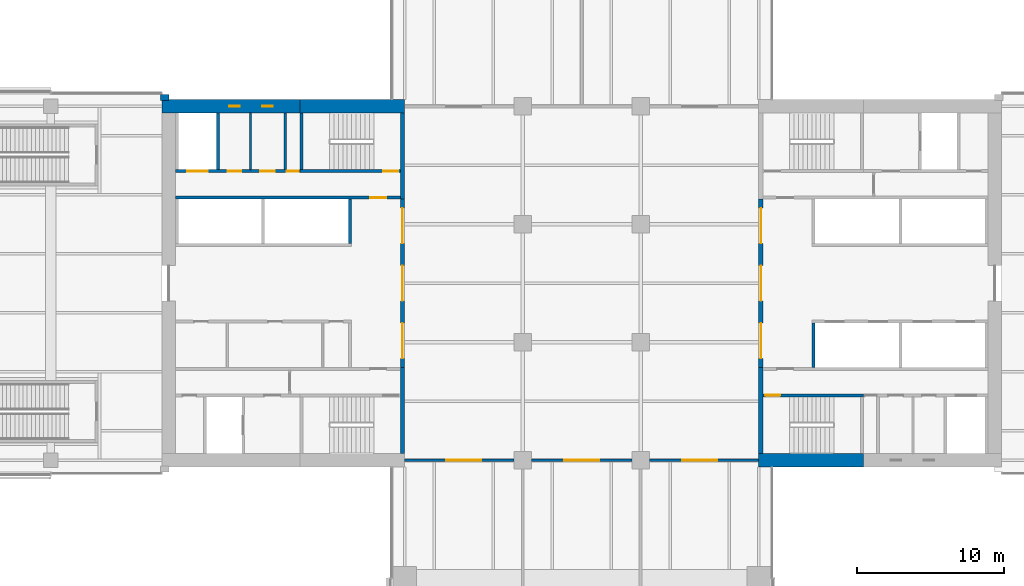
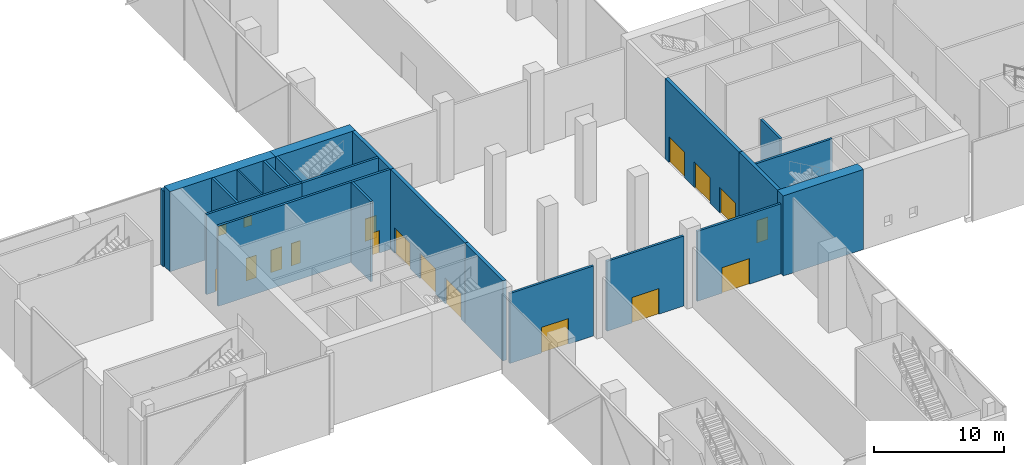
# One storey, part 15 of 25: 22 walls, 16 doors, 2 windows, 18 openings.
"""IFC4 building model written with IfcOpenShell, lengths in metres."""

from ifc_helpers import new_model, si_unit, direction, frame, frame_2d, origin, place, context, subcontext, project, spatial, rectangle, extrude, material, layer, layer_set, constituent, constituent_set, type_object, element, fill, save


model = new_model("IFC4")

# Units and contexts
model_context = context("Model", 3, precision=1e-05, world=origin(), true_north=direction((0.0, 1.0)))
body_context = subcontext(model_context, "Body", "Model", "MODEL_VIEW")
ifc_project = project(units=[si_unit("LENGTHUNIT", "METRE"), si_unit("AREAUNIT", "SQUARE_METRE"), si_unit("VOLUMEUNIT", "CUBIC_METRE"), si_unit("PLANEANGLEUNIT", "RADIAN"), si_unit("MASSUNIT", "GRAM", prefix="KILO")], contexts=[model_context])

# Site, building, storey
site_placement = place(None, origin())
site = spatial("IfcSite", under=ifc_project, at=site_placement, CompositionType="ELEMENT")
building_placement = place(site_placement, origin())
building = spatial("IfcBuilding", under=site, at=building_placement, Name="Crosswind Convention Tower", CompositionType="ELEMENT")
storey_placement = place(building_placement, frame((0.0, 0.0, 17.5)))
storey = spatial("IfcBuildingStorey", under=building, at=storey_placement, Name="L02", CompositionType="ELEMENT", Elevation=17.5)

# Wall
ifc_material_1 = material(Name="Concrete blockwork", Category="masonry")
ifc_layer_1 = layer(ifc_material_1, 0.199951171875)
ifc_layer_set_1 = layer_set([ifc_layer_1], Name="Blockwork partition wall 200")
wall_type_1 = type_object("IfcWallType", Name="Blockwork partition wall 200", PredefinedType="PARTITIONING", material=ifc_layer_set_1)
wall_1_placement = place(storey_placement, frame((104.89990234375, 111.550048828125, 0.0), z_axis=(0.0, 0.0, 1.0), x_axis=(0.0, -1.0, 0.0)))
element("IfcWall", 1, at=wall_1_placement, inside=storey, type_object=wall_type_1, Name="Wall MRSE W L02", PredefinedType="PARTITIONING", context=body_context, shape_type="SweptSolid", body=[
    extrude(rectangle(XDim=3.85009765625, YDim=0.199951171875, at=frame_2d((1.925048828125, 0.0))), origin(), (0.0, 0.0, 1.0), 7.5),
])

# Wall, openings, doors
ifc_material_2 = material(Name="Concrete C50/60", Category="concrete")
ifc_layer_2 = layer(ifc_material_2, 0.300048828125)
ifc_layer_set_2 = layer_set([ifc_layer_2], Name="Concrete C50/60")
wall_type_2 = type_object("IfcWallType", Name="Concrete inner core wall 300", PredefinedType="SHEAR", material=ifc_layer_set_2)
wall_2_placement = place(storey_placement, frame((137.14990234375, 94.300048828125, 0.0), z_axis=(0.0, 0.0, 1.0), x_axis=(0.0, 1.0, 0.0)))
wall_2 = element("IfcWall", 2, at=wall_2_placement, inside=storey, type_object=wall_type_2, Name="Wall SCR E L02", PredefinedType="SHEAR", context=body_context, shape_type="SweptSolid", body=[
    extrude(rectangle(XDim=11.39990234375, YDim=0.300048828125, at=frame_2d((5.699951171875, 0.0))), origin(), (0.0, 0.0, 1.0), 7.5),
])
opening_1_placement = place(wall_2_placement, frame((0.60009765625, 0.0, 0.0)))
opening_1 = element("IfcOpeningElement", 3, at=opening_1_placement, cuts=wall_2, Name="Opening D100", PredefinedType="OPENING", context=body_context, shape_type="SweptSolid", body=[
    extrude(rectangle(XDim=2.39990234375, YDim=2.39990234375, at=frame_2d((1.199951171875, 1.199951171875))), frame((0.0, 0.159912109375, 0.0), z_axis=(0.0, -1.0, 0.0), x_axis=(1.0, 0.0, 0.0)), (0.0, 0.0, 1.0), 0.320068359375),
])
opening_2_placement = place(wall_2_placement, frame((4.5, 0.0, 0.0)))
opening_2 = element("IfcOpeningElement", 4, at=opening_2_placement, cuts=wall_2, Name="Opening D100", PredefinedType="OPENING", context=body_context, shape_type="SweptSolid", body=[
    extrude(rectangle(XDim=2.39990234375, YDim=2.39990234375, at=frame_2d((1.199951171875, 1.199951171875))), frame((0.0, 0.159912109375, 0.0), z_axis=(0.0, -1.0, 0.0), x_axis=(1.0, 0.0, 0.0)), (0.0, 0.0, 1.0), 0.320068359375),
])
opening_3_placement = place(wall_2_placement, frame((8.39990234375, 0.0, 0.0)))
opening_3 = element("IfcOpeningElement", 5, at=opening_3_placement, cuts=wall_2, Name="Opening D100", PredefinedType="OPENING", context=body_context, shape_type="SweptSolid", body=[
    extrude(rectangle(XDim=2.39990234375, YDim=2.39990234375, at=frame_2d((1.199951171875, 1.199951171875))), frame((0.0, 0.159912109375, 0.0), z_axis=(0.0, -1.0, 0.0), x_axis=(1.0, 0.0, 0.0)), (0.0, 0.0, 1.0), 0.320068359375),
])
ifc_material_3 = material(Name="Steel fire door with glazed vision panels", Category="steel")
door_type_1 = type_object("IfcDoorType", Name="Fire-rated double door 2400x2400", OperationType="DOUBLE_DOOR_SINGLE_SWING", PredefinedType="DOOR", material=ifc_material_3)
door_1_placement = place(opening_1_placement, frame((2.39990234375, 0.0, 0.0), z_axis=(0.0, 0.0, 1.0), x_axis=(-1.0, 0.0, 0.0)))
door_1 = element("IfcDoor", 6, at=door_1_placement, inside=storey, type_object=door_type_1, Name="Lobby door 1 L02", ObjectType="D100", OperationType="DOUBLE_DOOR_SINGLE_SWING", OverallHeight=2.39990234375, OverallWidth=2.39990234375, PredefinedType="DOOR", context=body_context, shape_type="SweptSolid", body=[
    extrude(rectangle(XDim=2.39990234375, YDim=2.39990234375, at=frame_2d((1.199951171875, 1.199951171875))), frame((0.0, 0.02490234375, 0.0), z_axis=(0.0, -1.0, 0.0), x_axis=(1.0, 0.0, 0.0)), (0.0, 0.0, 1.0), 0.050048828125),
])
fill(opening_1, door_1)
door_2_placement = place(opening_2_placement, frame((2.39990234375, 0.0, 0.0), z_axis=(0.0, 0.0, 1.0), x_axis=(-1.0, 0.0, 0.0)))
door_2 = element("IfcDoor", 7, at=door_2_placement, inside=storey, type_object=door_type_1, Name="Lobby door 2 L02", ObjectType="D100", OperationType="DOUBLE_DOOR_SINGLE_SWING", OverallHeight=2.39990234375, OverallWidth=2.39990234375, PredefinedType="DOOR", context=body_context, shape_type="SweptSolid", body=[
    extrude(rectangle(XDim=2.39990234375, YDim=2.39990234375, at=frame_2d((1.199951171875, 1.199951171875))), frame((0.0, 0.02490234375, 0.0), z_axis=(0.0, -1.0, 0.0), x_axis=(1.0, 0.0, 0.0)), (0.0, 0.0, 1.0), 0.050048828125),
])
fill(opening_2, door_2)
door_3_placement = place(opening_3_placement, origin())
door_3 = element("IfcDoor", 8, at=door_3_placement, inside=storey, type_object=door_type_1, Name="Lobby door 3 L02", ObjectType="D100", OperationType="DOUBLE_DOOR_SINGLE_SWING", OverallHeight=2.39990234375, OverallWidth=2.39990234375, PredefinedType="DOOR", context=body_context, shape_type="SweptSolid", body=[
    extrude(rectangle(XDim=2.39990234375, YDim=2.39990234375, at=frame_2d((1.199951171875, 1.199951171875))), frame((0.0, 0.02490234375, 0.0), z_axis=(0.0, -1.0, 0.0), x_axis=(1.0, 0.0, 0.0)), (0.0, 0.0, 1.0), 0.050048828125),
])
fill(opening_3, door_3)

# Wall
wall_3_placement = place(storey_placement, frame((137.14990234375, 88.449951171875, 0.0), z_axis=(0.0, 0.0, 1.0), x_axis=(0.0, 1.0, 0.0)))
element("IfcWall", 9, at=wall_3_placement, inside=storey, type_object=wall_type_2, Name="Wall EM E L02", PredefinedType="SHEAR", context=body_context, shape_type="SweptSolid", body=[
    extrude(rectangle(XDim=5.85009765625, YDim=0.300048828125, at=frame_2d((2.925048828125, 0.0))), origin(), (0.0, 0.0, 1.0), 7.5),
])

# Wall, openings, doors
wall_4_placement = place(storey_placement, frame((112.85009765625, 105.699951171875, 0.0), z_axis=(0.0, 0.0, 1.0), x_axis=(0.0, -1.0, 0.0)))
wall_4 = element("IfcWall", 10, at=wall_4_placement, inside=storey, type_object=wall_type_2, Name="Wall SCR W L02", PredefinedType="SHEAR", context=body_context, shape_type="SweptSolid", body=[
    extrude(rectangle(XDim=11.39990234375, YDim=0.300048828125, at=frame_2d((5.699951171875, 0.0))), origin(), (0.0, 0.0, 1.0), 7.5),
])
opening_4_placement = place(wall_4_placement, frame((0.60009765625, 0.0, 0.0)))
opening_4 = element("IfcOpeningElement", 11, at=opening_4_placement, cuts=wall_4, Name="Opening D100", PredefinedType="OPENING", context=body_context, shape_type="SweptSolid", body=[
    extrude(rectangle(XDim=2.39990234375, YDim=2.39990234375, at=frame_2d((1.199951171875, 1.199951171875))), frame((0.0, 0.159912109375, 0.0), z_axis=(0.0, -1.0, 0.0), x_axis=(1.0, 0.0, 0.0)), (0.0, 0.0, 1.0), 0.320068359375),
])
opening_5_placement = place(wall_4_placement, frame((4.5, 0.0, 0.0)))
opening_5 = element("IfcOpeningElement", 12, at=opening_5_placement, cuts=wall_4, Name="Opening D100", PredefinedType="OPENING", context=body_context, shape_type="SweptSolid", body=[
    extrude(rectangle(XDim=2.39990234375, YDim=2.39990234375, at=frame_2d((1.199951171875, 1.199951171875))), frame((0.0, 0.159912109375, 0.0), z_axis=(0.0, -1.0, 0.0), x_axis=(1.0, 0.0, 0.0)), (0.0, 0.0, 1.0), 0.320068359375),
])
opening_6_placement = place(wall_4_placement, frame((8.39990234375, 0.0, 0.0)))
opening_6 = element("IfcOpeningElement", 13, at=opening_6_placement, cuts=wall_4, Name="Opening D100", PredefinedType="OPENING", context=body_context, shape_type="SweptSolid", body=[
    extrude(rectangle(XDim=2.39990234375, YDim=2.39990234375, at=frame_2d((1.199951171875, 1.199951171875))), frame((0.0, 0.159912109375, 0.0), z_axis=(0.0, -1.0, 0.0), x_axis=(1.0, 0.0, 0.0)), (0.0, 0.0, 1.0), 0.320068359375),
])
door_4_placement = place(opening_4_placement, frame((2.39990234375, 0.0, 0.0), z_axis=(0.0, 0.0, 1.0), x_axis=(-1.0, 0.0, 0.0)))
door_4 = element("IfcDoor", 14, at=door_4_placement, inside=storey, type_object=door_type_1, Name="Lobby door 1 L02", ObjectType="D100", OperationType="DOUBLE_DOOR_SINGLE_SWING", OverallHeight=2.39990234375, OverallWidth=2.39990234375, PredefinedType="DOOR", context=body_context, shape_type="SweptSolid", body=[
    extrude(rectangle(XDim=2.39990234375, YDim=2.39990234375, at=frame_2d((1.199951171875, 1.199951171875))), frame((0.0, 0.02490234375, 0.0), z_axis=(0.0, -1.0, 0.0), x_axis=(1.0, 0.0, 0.0)), (0.0, 0.0, 1.0), 0.050048828125),
])
fill(opening_4, door_4)
door_5_placement = place(opening_5_placement, frame((2.39990234375, 0.0, 0.0), z_axis=(0.0, 0.0, 1.0), x_axis=(-1.0, 0.0, 0.0)))
door_5 = element("IfcDoor", 15, at=door_5_placement, inside=storey, type_object=door_type_1, Name="Lobby door 2 L02", ObjectType="D100", OperationType="DOUBLE_DOOR_SINGLE_SWING", OverallHeight=2.39990234375, OverallWidth=2.39990234375, PredefinedType="DOOR", context=body_context, shape_type="SweptSolid", body=[
    extrude(rectangle(XDim=2.39990234375, YDim=2.39990234375, at=frame_2d((1.199951171875, 1.199951171875))), frame((0.0, 0.02490234375, 0.0), z_axis=(0.0, -1.0, 0.0), x_axis=(1.0, 0.0, 0.0)), (0.0, 0.0, 1.0), 0.050048828125),
])
fill(opening_5, door_5)
door_6_placement = place(opening_6_placement, origin())
door_6 = element("IfcDoor", 16, at=door_6_placement, inside=storey, type_object=door_type_1, Name="Lobby door 3 L02", ObjectType="D100", OperationType="DOUBLE_DOOR_SINGLE_SWING", OverallHeight=2.39990234375, OverallWidth=2.39990234375, PredefinedType="DOOR", context=body_context, shape_type="SweptSolid", body=[
    extrude(rectangle(XDim=2.39990234375, YDim=2.39990234375, at=frame_2d((1.199951171875, 1.199951171875))), frame((0.0, 0.02490234375, 0.0), z_axis=(0.0, -1.0, 0.0), x_axis=(1.0, 0.0, 0.0)), (0.0, 0.0, 1.0), 0.050048828125),
])
fill(opening_6, door_6)

# Walls
for number, where, z_axis, x_axis, name in (
    (17, (112.85009765625, 94.300048828125, 0.0), (0.0, 0.0, 1.0), (0.0, -1.0, 0.0), "Wall EP W L02"),
    (18, (112.85009765625, 111.550048828125, 0.0), (0.0, 0.0, 1.0), (0.0, -1.0, 0.0), "Wall EM W L02"),
):
    element("IfcWall", number, at=place(storey_placement, frame(where, z_axis=z_axis, x_axis=x_axis)), inside=storey, type_object=wall_type_2, Name=name, PredefinedType="SHEAR", context=body_context, shape_type="SweptSolid", body=[
        extrude(rectangle(XDim=5.85009765625, YDim=0.300048828125, at=frame_2d((2.925048828125, 0.0))), origin(), (0.0, 0.0, 1.0), 7.5),
    ])
ifc_layer_3 = layer(ifc_material_2, 0.199951171875)
ifc_layer_set_3 = layer_set([ifc_layer_3], Name="Concrete C50/60")
wall_type_3 = type_object("IfcWallType", Name="Concrete shaft and stair wall 200", PredefinedType="SHEAR", material=ifc_layer_set_3)
wall_5_placement = place(storey_placement, frame((140.699951171875, 94.300048828125, 0.0), z_axis=(0.0, 0.0, 1.0), x_axis=(0.0, 1.0, 0.0)))
element("IfcWall", 19, at=wall_5_placement, inside=storey, type_object=wall_type_3, Name="Wall RMEND E L02", PredefinedType="SHEAR", context=body_context, shape_type="SweptSolid", body=[
    extrude(rectangle(XDim=3.0, YDim=0.199951171875, at=frame_2d((1.5, 0.0))), origin(), (0.0, 0.0, 1.0), 7.5),
])

# Wall, opening, door
wall_6_placement = place(storey_placement, frame((137.300048828125, 92.39990234375, 0.0), z_axis=(0.0, 0.0, 1.0), x_axis=(1.0, 0.0, 0.0)))
wall_6 = element("IfcWall", 20, at=wall_6_placement, inside=storey, type_object=wall_type_3, Name="Wall MCW E L02", PredefinedType="SHEAR", context=body_context, shape_type="SweptSolid", body=[
    extrude(rectangle(XDim=6.800048828125, YDim=0.199951171875, at=frame_2d((3.39990234375, 0.0))), origin(), (0.0, 0.0, 1.0), 7.5),
])
opening_7_placement = place(wall_6_placement, frame((0.14990234375, 0.0, 0.0)))
opening_7 = element("IfcOpeningElement", 21, at=opening_7_placement, cuts=wall_6, Name="Opening D103", PredefinedType="OPENING", context=body_context, shape_type="SweptSolid", body=[
    extrude(rectangle(XDim=1.0, YDim=2.10009765625, at=frame_2d((0.5, 1.050048828125))), frame((0.0, 0.10986328125, 0.0), z_axis=(0.0, -1.0, 0.0), x_axis=(1.0, 0.0, 0.0)), (0.0, 0.0, 1.0), 0.219970703125),
])
ifc_material_4 = material(Name="Steel fire door", Category="steel")
door_type_2 = type_object("IfcDoorType", Name="Fire-rated single door 1000x2100", OperationType="NOTDEFINED", PredefinedType="DOOR", material=ifc_material_4)
door_7_placement = place(opening_7_placement, frame((1.0, 0.0, 0.0), z_axis=(0.0, 0.0, 1.0), x_axis=(-1.0, 0.0, 0.0)))
door_7 = element("IfcDoor", 22, at=door_7_placement, inside=storey, type_object=door_type_2, Name="Stair ST2 door L02", ObjectType="D103", OperationType="SINGLE_SWING_RIGHT", OverallHeight=2.10009765625, OverallWidth=1.0, PredefinedType="DOOR", context=body_context, shape_type="SweptSolid", body=[
    extrude(rectangle(XDim=1.0, YDim=2.10009765625, at=frame_2d((0.5, 1.050048828125))), frame((0.0, 0.02490234375, 0.0), z_axis=(0.0, -1.0, 0.0), x_axis=(1.0, 0.0, 0.0)), (0.0, 0.0, 1.0), 0.050048828125),
])
fill(opening_7, door_7)

# Wall
wall_7_placement = place(storey_placement, frame((109.300048828125, 105.699951171875, 0.0), z_axis=(0.0, 0.0, 1.0), x_axis=(0.0, -1.0, 0.0)))
element("IfcWall", 23, at=wall_7_placement, inside=storey, type_object=wall_type_3, Name="Wall RMEND W L02", PredefinedType="SHEAR", context=body_context, shape_type="SweptSolid", body=[
    extrude(rectangle(XDim=3.0, YDim=0.199951171875, at=frame_2d((1.5, 0.0))), origin(), (0.0, 0.0, 1.0), 7.5),
])

# Wall, opening, door
wall_8_placement = place(storey_placement, frame((112.699951171875, 105.800048828125, 0.0), z_axis=(0.0, 0.0, 1.0), x_axis=(-1.0, 0.0, 0.0)))
wall_8 = element("IfcWall", 24, at=wall_8_placement, inside=storey, type_object=wall_type_3, Name="Wall HM W L02", PredefinedType="SHEAR", context=body_context, shape_type="SweptSolid", body=[
    extrude(rectangle(XDim=15.25, YDim=0.199951171875, at=frame_2d((7.625, 0.0))), origin(), (0.0, 0.0, 1.0), 7.5),
])
opening_8_placement = place(wall_8_placement, frame((0.949951171875, 0.0, 0.0)))
opening_8 = element("IfcOpeningElement", 25, at=opening_8_placement, cuts=wall_8, Name="Opening D104", PredefinedType="OPENING", context=body_context, shape_type="SweptSolid", body=[
    extrude(rectangle(XDim=1.10009765625, YDim=2.10009765625, at=frame_2d((0.550048828125, 1.050048828125))), frame((0.0, 0.10986328125, 0.0), z_axis=(0.0, -1.0, 0.0), x_axis=(1.0, 0.0, 0.0)), (0.0, 0.0, 1.0), 0.219970703125),
])
door_type_3 = type_object("IfcDoorType", Name="Fire-rated single door 1100x2100", OperationType="NOTDEFINED", PredefinedType="DOOR", material=ifc_material_4)
door_8_placement = place(opening_8_placement, frame((1.10009765625, 0.0, 0.0), z_axis=(0.0, 0.0, 1.0), x_axis=(-1.0, 0.0, 0.0)))
door_8 = element("IfcDoor", 26, at=door_8_placement, inside=storey, type_object=door_type_3, Name="Corridor door L02", ObjectType="D104", OperationType="SINGLE_SWING_RIGHT", OverallHeight=2.10009765625, OverallWidth=1.10009765625, PredefinedType="DOOR", context=body_context, shape_type="SweptSolid", body=[
    extrude(rectangle(XDim=1.10009765625, YDim=2.10009765625, at=frame_2d((0.550048828125, 1.050048828125))), frame((0.0, 0.02490234375, 0.0), z_axis=(0.0, -1.0, 0.0), x_axis=(1.0, 0.0, 0.0)), (0.0, 0.0, 1.0), 0.050048828125),
])
fill(opening_8, door_8)

# Walls
for number, where, z_axis, x_axis, name in (
    (27, (106.0, 111.550048828125, 0.0), (0.0, 0.0, 1.0), (0.0, -1.0, 0.0), "Wall MSE W L02"),
    (28, (100.35009765625, 111.550048828125, 0.0), (0.0, 0.0, 1.0), (0.0, -1.0, 0.0), "Wall MFSW W L02"),
):
    element("IfcWall", number, at=place(storey_placement, frame(where, z_axis=z_axis, x_axis=x_axis)), inside=storey, type_object=wall_type_3, Name=name, PredefinedType="SHEAR", context=body_context, shape_type="SweptSolid", body=[
        extrude(rectangle(XDim=3.85009765625, YDim=0.199951171875, at=frame_2d((1.925048828125, 0.0))), origin(), (0.0, 0.0, 1.0), 7.5),
    ])

# Wall, opening, door
wall_9_placement = place(storey_placement, frame((112.699951171875, 107.60009765625, 0.0), z_axis=(0.0, 0.0, 1.0), x_axis=(-1.0, 0.0, 0.0)))
wall_9 = element("IfcWall", 29, at=wall_9_placement, inside=storey, type_object=wall_type_3, Name="Wall MCW W L02", PredefinedType="SHEAR", context=body_context, shape_type="SweptSolid", body=[
    extrude(rectangle(XDim=6.800048828125, YDim=0.199951171875, at=frame_2d((3.39990234375, 0.0))), origin(), (0.0, 0.0, 1.0), 7.5),
])
opening_9_placement = place(wall_9_placement, frame((0.14990234375, 0.0, 0.0)))
opening_9 = element("IfcOpeningElement", 30, at=opening_9_placement, cuts=wall_9, Name="Opening D103", PredefinedType="OPENING", context=body_context, shape_type="SweptSolid", body=[
    extrude(rectangle(XDim=1.0, YDim=2.10009765625, at=frame_2d((0.5, 1.050048828125))), frame((0.0, 0.10986328125, 0.0), z_axis=(0.0, -1.0, 0.0), x_axis=(1.0, 0.0, 0.0)), (0.0, 0.0, 1.0), 0.219970703125),
])
door_9_placement = place(opening_9_placement, frame((1.0, 0.0, 0.0), z_axis=(0.0, 0.0, 1.0), x_axis=(-1.0, 0.0, 0.0)))
door_9 = element("IfcDoor", 31, at=door_9_placement, inside=storey, type_object=door_type_2, Name="Stair ST4 door L02", ObjectType="D103", OperationType="SINGLE_SWING_RIGHT", OverallHeight=2.10009765625, OverallWidth=1.0, PredefinedType="DOOR", context=body_context, shape_type="SweptSolid", body=[
    extrude(rectangle(XDim=1.0, YDim=2.10009765625, at=frame_2d((0.5, 1.050048828125))), frame((0.0, 0.02490234375, 0.0), z_axis=(0.0, -1.0, 0.0), x_axis=(1.0, 0.0, 0.0)), (0.0, 0.0, 1.0), 0.050048828125),
])
fill(opening_9, door_9)

# Wall, openings, doors
wall_10_placement = place(storey_placement, frame((105.89990234375, 107.60009765625, 0.0), z_axis=(0.0, 0.0, 1.0), x_axis=(-1.0, 0.0, 0.0)))
wall_10 = element("IfcWall", 32, at=wall_10_placement, inside=storey, type_object=wall_type_3, Name="Wall MCX W L02", PredefinedType="SHEAR", context=body_context, shape_type="SweptSolid", body=[
    extrude(rectangle(XDim=8.449951171875, YDim=0.199951171875, at=frame_2d((4.22509765625, 0.0))), origin(), (0.0, 0.0, 1.0), 7.5),
])
opening_10_placement = place(wall_10_placement, frame((0.10009765625, 0.0, 0.0)))
opening_10 = element("IfcOpeningElement", 33, at=opening_10_placement, cuts=wall_10, Name="Opening D105", PredefinedType="OPENING", context=body_context, shape_type="SweptSolid", body=[
    extrude(rectangle(XDim=0.800048828125, YDim=2.10009765625, at=frame_2d((0.39990234375, 1.050048828125))), frame((0.0, 0.10986328125, 0.0), z_axis=(0.0, -1.0, 0.0), x_axis=(1.0, 0.0, 0.0)), (0.0, 0.0, 1.0), 0.219970703125),
])
opening_11_placement = place(wall_10_placement, frame((1.69970703125, 0.0, 0.0)))
opening_11 = element("IfcOpeningElement", 34, at=opening_11_placement, cuts=wall_10, Name="Opening D103", PredefinedType="OPENING", context=body_context, shape_type="SweptSolid", body=[
    extrude(rectangle(XDim=1.0, YDim=2.10009765625, at=frame_2d((0.5, 1.050048828125))), frame((0.0, 0.10986328125, 0.0), z_axis=(0.0, -1.0, 0.0), x_axis=(1.0, 0.0, 0.0)), (0.0, 0.0, 1.0), 0.219970703125),
])
opening_12_placement = place(wall_10_placement, frame((3.9873046875, 0.0, 0.0)))
opening_12 = element("IfcOpeningElement", 35, at=opening_12_placement, cuts=wall_10, Name="Opening D106", PredefinedType="OPENING", context=body_context, shape_type="SweptSolid", body=[
    extrude(rectangle(XDim=0.89990234375, YDim=2.10009765625, at=frame_2d((0.449951171875, 1.050048828125))), frame((0.0, 0.10986328125, 0.0), z_axis=(0.0, -1.0, 0.0), x_axis=(1.0, 0.0, 0.0)), (0.0, 0.0, 1.0), 0.219970703125),
])
opening_13_placement = place(wall_10_placement, frame((6.25, 0.0, 0.0)))
opening_13 = element("IfcOpeningElement", 36, at=opening_13_placement, cuts=wall_10, Name="Opening LD2", PredefinedType="OPENING", context=body_context, shape_type="SweptSolid", body=[
    extrude(rectangle(XDim=1.39990234375, YDim=2.10009765625, at=frame_2d((0.699951171875, 1.050048828125))), frame((0.0, 0.10986328125, 0.0), z_axis=(0.0, -1.0, 0.0), x_axis=(1.0, 0.0, 0.0)), (0.0, 0.0, 1.0), 0.219970703125),
])
door_10_placement = place(opening_11_placement, frame((1.0, 0.0, 0.0), z_axis=(0.0, 0.0, 1.0), x_axis=(-1.0, 0.0, 0.0)))
door_10 = element("IfcDoor", 37, at=door_10_placement, inside=storey, type_object=door_type_2, Name="Door to accessible wc L02", ObjectType="D103", OperationType="SINGLE_SWING_LEFT", OverallHeight=2.10009765625, OverallWidth=1.0, PredefinedType="DOOR", context=body_context, shape_type="SweptSolid", body=[
    extrude(rectangle(XDim=1.0, YDim=2.10009765625, at=frame_2d((0.5, 1.050048828125))), frame((0.0, 0.02490234375, 0.0), z_axis=(0.0, -1.0, 0.0), x_axis=(1.0, 0.0, 0.0)), (0.0, 0.0, 1.0), 0.050048828125),
])
fill(opening_11, door_10)
ifc_material_5 = material(Name="Stainless steel", Category="steel")
door_type_4 = type_object("IfcDoorType", Name="Lift landing door 1400x2100", OperationType="DOUBLE_DOOR_SLIDING", PredefinedType="DOOR", material=ifc_material_5)
door_11_placement = place(opening_13_placement, origin())
door_11 = element("IfcDoor", 38, at=door_11_placement, inside=storey, type_object=door_type_4, Name="Landing door SV2 L02", ObjectType="LD2", OperationType="DOUBLE_DOOR_SLIDING", OverallHeight=2.10009765625, OverallWidth=1.39990234375, PredefinedType="DOOR", context=body_context, shape_type="SweptSolid", body=[
    extrude(rectangle(XDim=1.39990234375, YDim=2.10009765625, at=frame_2d((0.699951171875, 1.050048828125))), frame((0.0, 0.02490234375, 0.0), z_axis=(0.0, -1.0, 0.0), x_axis=(1.0, 0.0, 0.0)), (0.0, 0.0, 1.0), 0.050048828125),
])
fill(opening_13, door_11)
door_type_5 = type_object("IfcDoorType", Name="Riser access door 800x2100", OperationType="NOTDEFINED", PredefinedType="DOOR", material=ifc_material_4)
door_12_placement = place(opening_10_placement, frame((0.800048828125, 0.0, 0.0), z_axis=(0.0, 0.0, 1.0), x_axis=(-1.0, 0.0, 0.0)))
door_12 = element("IfcDoor", 39, at=door_12_placement, inside=storey, type_object=door_type_5, Name="Riser door L02", ObjectType="D105", OperationType="SINGLE_SWING_LEFT", OverallHeight=2.10009765625, OverallWidth=0.800048828125, PredefinedType="DOOR", context=body_context, shape_type="SweptSolid", body=[
    extrude(rectangle(XDim=0.800048828125, YDim=2.10009765625, at=frame_2d((0.39990234375, 1.050048828125))), frame((0.0, 0.02490234375, 0.0), z_axis=(0.0, -1.0, 0.0), x_axis=(1.0, 0.0, 0.0)), (0.0, 0.0, 1.0), 0.050048828125),
])
fill(opening_10, door_12)
ifc_material_6 = material(Name="Timber door", Category="wood")
door_type_6 = type_object("IfcDoorType", Name="Single leaf door 900x2100", OperationType="NOTDEFINED", PredefinedType="DOOR", material=ifc_material_6)
door_13_placement = place(opening_12_placement, frame((0.89990234375, 0.0, 0.0), z_axis=(0.0, 0.0, 1.0), x_axis=(-1.0, 0.0, 0.0)))
door_13 = element("IfcDoor", 40, at=door_13_placement, inside=storey, type_object=door_type_6, Name="Door to wc L02", ObjectType="D106", OperationType="SINGLE_SWING_LEFT", OverallHeight=2.10009765625, OverallWidth=0.89990234375, PredefinedType="DOOR", context=body_context, shape_type="SweptSolid", body=[
    extrude(rectangle(XDim=0.89990234375, YDim=2.10009765625, at=frame_2d((0.449951171875, 1.050048828125))), frame((0.0, 0.02490234375, 0.0), z_axis=(0.0, -1.0, 0.0), x_axis=(1.0, 0.0, 0.0)), (0.0, 0.0, 1.0), 0.050048828125),
])
fill(opening_12, door_13)

# Wall
ifc_material_7 = material(Name="Gypsum plasterboard partition", Category="gypsum")
ifc_layer_4 = layer(ifc_material_7, 0.125)
ifc_layer_set_4 = layer_set([ifc_layer_4], Name="Drywall partition wall 125")
wall_type_4 = type_object("IfcWallType", Name="Drywall partition wall 125", PredefinedType="PARTITIONING", material=ifc_layer_set_4)
wall_11_placement = place(storey_placement, frame((102.5380859375, 111.550048828125, 0.0), z_axis=(0.0, 0.0, 1.0), x_axis=(0.0, -1.0, 0.0)))
element("IfcWall", 41, at=wall_11_placement, inside=storey, type_object=wall_type_4, Name="Wall MWP1 W L02", PredefinedType="PARTITIONING", context=body_context, shape_type="SweptSolid", body=[
    extrude(rectangle(XDim=3.85009765625, YDim=0.125, at=frame_2d((1.925048828125, 0.0))), origin(), (0.0, 0.0, 1.0), 7.5),
])

# Wall, opening, door
ifc_material_8 = material(Name="Double plasterboard partition", Category="gypsum")
ifc_layer_5 = layer(ifc_material_8, 0.199951171875)
ifc_layer_set_5 = layer_set([ifc_layer_5], Name="HALL WALL 200")
wall_type_5 = type_object("IfcWallType", Name="HALL WALL 200", PredefinedType="PARTITIONING", material=ifc_layer_set_5)
wall_12_placement = place(storey_placement, frame((113.0, 88.0, 0.0), z_axis=(0.0, 0.0, 1.0), x_axis=(1.0, 0.0, 0.0)))
wall_12 = element("IfcWall", 42, at=wall_12_placement, inside=storey, type_object=wall_type_5, Name="Hall Wall 5", PredefinedType="PARTITIONING", context=body_context, shape_type="SweptSolid", body=[
    extrude(rectangle(XDim=7.39990234375, YDim=0.199951171875, at=frame_2d((3.699951171875, 0.0))), origin(), (0.0, 0.0, 1.0), 6.551025390625),
])
opening_14_placement = place(wall_12_placement, frame((2.800048828125, 0.0, 0.0)))
opening_14 = element("IfcOpeningElement", 43, at=opening_14_placement, cuts=wall_12, Name="Opening 02.004", PredefinedType="OPENING", context=body_context, shape_type="SweptSolid", body=[
    extrude(rectangle(XDim=2.39990234375, YDim=2.39990234375, at=frame_2d((1.199951171875, 1.199951171875))), frame((0.0, 0.10986328125, 0.0), z_axis=(0.0, -1.0, 0.0), x_axis=(1.0, 0.0, 0.0)), (0.0, 0.0, 1.0), 0.219970703125),
])
ifc_material_9 = material(Name="Timber fire door", Category="wood")
door_type_7 = type_object("IfcDoorType", Name="BALLROOM DOUBLE DOOR 2400X2400", OperationType="DOUBLE_DOOR_SINGLE_SWING", PredefinedType="DOOR", material=ifc_material_9)
door_14_placement = place(opening_14_placement, frame((2.39990234375, 0.0, 0.0), z_axis=(0.0, 0.0, 1.0), x_axis=(-1.0, 0.0, 0.0)))
door_14 = element("IfcDoor", 44, at=door_14_placement, inside=storey, type_object=door_type_7, Name="Door 02.004", ObjectType="D8", OperationType="DOUBLE_DOOR_SINGLE_SWING", OverallHeight=2.39990234375, OverallWidth=2.39990234375, PredefinedType="DOOR", context=body_context, shape_type="SweptSolid", body=[
    extrude(rectangle(XDim=2.39990234375, YDim=2.39990234375, at=frame_2d((1.199951171875, 1.199951171875))), frame((0.0, 0.02490234375, 0.0), z_axis=(0.0, -1.0, 0.0), x_axis=(1.0, 0.0, 0.0)), (0.0, 0.0, 1.0), 0.050048828125),
])
fill(opening_14, door_14)

wall_13_placement = place(storey_placement, frame((121.60009765625, 88.0, 0.0), z_axis=(0.0, 0.0, 1.0), x_axis=(1.0, 0.0, 0.0)))
wall_13 = element("IfcWall", 45, at=wall_13_placement, inside=storey, type_object=wall_type_5, Name="Hall Wall 6", PredefinedType="PARTITIONING", context=body_context, shape_type="SweptSolid", body=[
    extrude(rectangle(XDim=6.7998046875, YDim=0.199951171875, at=frame_2d((3.39990234375, 0.0))), origin(), (0.0, 0.0, 1.0), 6.555419921875),
])
opening_15_placement = place(wall_13_placement, frame((2.199951171875, 0.0, 0.0)))
opening_15 = element("IfcOpeningElement", 46, at=opening_15_placement, cuts=wall_13, Name="Opening 02.005", PredefinedType="OPENING", context=body_context, shape_type="SweptSolid", body=[
    extrude(rectangle(XDim=2.39990234375, YDim=2.39990234375, at=frame_2d((1.199951171875, 1.199951171875))), frame((0.0, 0.10986328125, 0.0), z_axis=(0.0, -1.0, 0.0), x_axis=(1.0, 0.0, 0.0)), (0.0, 0.0, 1.0), 0.219970703125),
])
door_15_placement = place(opening_15_placement, frame((2.39990234375, 0.0, 0.0), z_axis=(0.0, 0.0, 1.0), x_axis=(-1.0, 0.0, 0.0)))
door_15 = element("IfcDoor", 47, at=door_15_placement, inside=storey, type_object=door_type_7, Name="Door 02.005", ObjectType="D8", OperationType="DOUBLE_DOOR_SINGLE_SWING", OverallHeight=2.39990234375, OverallWidth=2.39990234375, PredefinedType="DOOR", context=body_context, shape_type="SweptSolid", body=[
    extrude(rectangle(XDim=2.39990234375, YDim=2.39990234375, at=frame_2d((1.199951171875, 1.199951171875))), frame((0.0, 0.02490234375, 0.0), z_axis=(0.0, -1.0, 0.0), x_axis=(1.0, 0.0, 0.0)), (0.0, 0.0, 1.0), 0.050048828125),
])
fill(opening_15, door_15)

wall_14_placement = place(storey_placement, frame((129.60009765625, 88.0, 0.0), z_axis=(0.0, 0.0, 1.0), x_axis=(1.0, 0.0, 0.0)))
wall_14 = element("IfcWall", 48, at=wall_14_placement, inside=storey, type_object=wall_type_5, Name="Hall Wall 7", PredefinedType="PARTITIONING", context=body_context, shape_type="SweptSolid", body=[
    extrude(rectangle(XDim=7.39990234375, YDim=0.199951171875, at=frame_2d((3.699951171875, 0.0))), origin(), (0.0, 0.0, 1.0), 6.551025390625),
])
opening_16_placement = place(wall_14_placement, frame((2.199951171875, 0.0, 0.0)))
opening_16 = element("IfcOpeningElement", 49, at=opening_16_placement, cuts=wall_14, Name="Opening 02.006", PredefinedType="OPENING", context=body_context, shape_type="SweptSolid", body=[
    extrude(rectangle(XDim=2.39990234375, YDim=2.39990234375, at=frame_2d((1.199951171875, 1.199951171875))), frame((0.0, 0.10986328125, 0.0), z_axis=(0.0, -1.0, 0.0), x_axis=(1.0, 0.0, 0.0)), (0.0, 0.0, 1.0), 0.219970703125),
])
door_16_placement = place(opening_16_placement, frame((2.39990234375, 0.0, 0.0), z_axis=(0.0, 0.0, 1.0), x_axis=(-1.0, 0.0, 0.0)))
door_16 = element("IfcDoor", 50, at=door_16_placement, inside=storey, type_object=door_type_7, Name="Door 02.006", ObjectType="D8", OperationType="DOUBLE_DOOR_SINGLE_SWING", OverallHeight=2.39990234375, OverallWidth=2.39990234375, PredefinedType="DOOR", context=body_context, shape_type="SweptSolid", body=[
    extrude(rectangle(XDim=2.39990234375, YDim=2.39990234375, at=frame_2d((1.199951171875, 1.199951171875))), frame((0.0, 0.02490234375, 0.0), z_axis=(0.0, -1.0, 0.0), x_axis=(1.0, 0.0, 0.0)), (0.0, 0.0, 1.0), 0.050048828125),
])
fill(opening_16, door_16)

# Walls
ifc_material_10 = material(Name="Terracotta rainscreen", Category="ceramic")
ifc_layer_6 = layer(ifc_material_10, 0.02001953125)
ifc_material_11 = material(Name="Mineral wool insulation", Category="insulation")
ifc_layer_7 = layer(ifc_material_11, 0.10009765625)
ifc_layer_8 = layer(ifc_material_1, 0.285888671875)
ifc_layer_set_6 = layer_set([ifc_layer_6, ifc_layer_7, ifc_layer_8], Name="TERRACOTTA CORNER INFILL WALL 406")
wall_type_6 = type_object("IfcWallType", Name="TERRACOTTA CORNER INFILL WALL 406", PredefinedType="SOLIDWALL", material=ifc_layer_set_6)
wall_15_placement = place(storey_placement, frame((96.445068359375, 112.596923828125, 0.0), z_axis=(0.0, 0.0, 1.0), x_axis=(1.0, 0.0, 0.0)))
element("IfcWall", 51, at=wall_15_placement, inside=storey, type_object=wall_type_6, Name="Core corner infill wall L02 2", PredefinedType="SOLIDWALL", context=body_context, shape_type="SweptSolid", body=[
    extrude(rectangle(XDim=0.554931640625, YDim=0.406005859375, at=frame_2d((0.27734375, 0.0))), origin(), (0.0, 0.0, 1.0), 7.10009765625),
])
ifc_material_12 = material(Name="Concrete C60/75", Category="concrete")
ifc_constituent_1 = constituent(ifc_material_12, Name="Structure")
ifc_constituent_2 = constituent(ifc_material_10, Name="Facing")
ifc_constituent_set = constituent_set(constituents=[ifc_constituent_1, ifc_constituent_2], Name="Concrete C60/75, Terracotta rainscreen")
wall_type_7 = type_object("IfcWallType", Name="Terracotta rainscreen on concrete core wall 900", PredefinedType="SHEAR", material=ifc_constituent_set)
for number, where, z_axis, x_axis, name in (
    (52, (137.0, 88.0, 0.0), (0.0, 0.0, 1.0), (1.0, 0.0, 0.0), "Wall S1 E L02"),
    (53, (113.0, 112.0, 0.0), (0.0, 0.0, 1.0), (-1.0, 0.0, 0.0), "Wall S1 W L02"),
):
    element("IfcWall", number, at=place(storey_placement, frame(where, z_axis=z_axis, x_axis=x_axis)), inside=storey, type_object=wall_type_7, Name=name, PredefinedType="SHEAR", context=body_context, shape_type="SweptSolid", body=[
        extrude(rectangle(XDim=7.10009765625, YDim=0.89990234375, at=frame_2d((3.550048828125, 0.0))), origin(), (0.0, 0.0, 1.0), 7.5),
    ])

# Wall, openings, windows
wall_16_placement = place(storey_placement, frame((105.89990234375, 112.0, 0.0), z_axis=(0.0, 0.0, 1.0), x_axis=(-1.0, 0.0, 0.0)))
wall_16 = element("IfcWall", 54, at=wall_16_placement, inside=storey, type_object=wall_type_7, Name="Wall S2 W L02", PredefinedType="SHEAR", context=body_context, shape_type="SweptSolid", body=[
    extrude(rectangle(XDim=9.349853515625, YDim=0.89990234375, at=frame_2d((4.6748046875, 0.0))), origin(), (0.0, 0.0, 1.0), 7.5),
])
opening_17_placement = place(wall_16_placement, frame((1.849853515625, 0.0, 1.5)))
opening_17 = element("IfcOpeningElement", 55, at=opening_17_placement, cuts=wall_16, Name="Opening W2", PredefinedType="OPENING", context=body_context, shape_type="SweptSolid", body=[
    extrude(rectangle(XDim=0.699951171875, YDim=0.89990234375, at=frame_2d((0.35009765625, 0.449951171875))), frame((0.0, 0.4599609375, 0.0), z_axis=(0.0, -1.0, 0.0), x_axis=(1.0, 0.0, 0.0)), (0.0, 0.0, 1.0), 0.919921875),
])
opening_18_placement = place(wall_16_placement, frame((4.087158203125, 0.0, 1.5)))
opening_18 = element("IfcOpeningElement", 56, at=opening_18_placement, cuts=wall_16, Name="Opening W2", PredefinedType="OPENING", context=body_context, shape_type="SweptSolid", body=[
    extrude(rectangle(XDim=0.699951171875, YDim=0.89990234375, at=frame_2d((0.35009765625, 0.449951171875))), frame((0.0, 0.4599609375, 0.0), z_axis=(0.0, -1.0, 0.0), x_axis=(1.0, 0.0, 0.0)), (0.0, 0.0, 1.0), 0.919921875),
])
ifc_material_13 = material(Name="Obscure glass in aluminium frame", Category="aluminium")
window_type = type_object("IfcWindowType", Name="WC window 700x900", PartitioningType="SINGLE_PANEL", PredefinedType="WINDOW", material=ifc_material_13)
window_1_placement = place(opening_17_placement, origin())
window_1 = element("IfcWindow", 57, at=window_1_placement, inside=storey, type_object=window_type, Name="WC window L02", ObjectType="W2", OverallHeight=0.89990234375, OverallWidth=0.699951171875, PartitioningType="SINGLE_PANEL", PredefinedType="WINDOW", context=body_context, shape_type="SweptSolid", body=[
    extrude(rectangle(XDim=0.699951171875, YDim=0.89990234375, at=frame_2d((0.35009765625, 0.449951171875))), frame((0.0, 0.030029296875, 0.0), z_axis=(0.0, -1.0, 0.0), x_axis=(1.0, 0.0, 0.0)), (0.0, 0.0, 1.0), 0.06005859375),
])
fill(opening_17, window_1)
window_2_placement = place(opening_18_placement, origin())
window_2 = element("IfcWindow", 58, at=window_2_placement, inside=storey, type_object=window_type, Name="WC window L02", ObjectType="W2", OverallHeight=0.89990234375, OverallWidth=0.699951171875, PartitioningType="SINGLE_PANEL", PredefinedType="WINDOW", context=body_context, shape_type="SweptSolid", body=[
    extrude(rectangle(XDim=0.699951171875, YDim=0.89990234375, at=frame_2d((0.35009765625, 0.449951171875))), frame((0.0, 0.030029296875, 0.0), z_axis=(0.0, -1.0, 0.0), x_axis=(1.0, 0.0, 0.0)), (0.0, 0.0, 1.0), 0.06005859375),
])
fill(opening_18, window_2)

save(model, "model.ifc")
